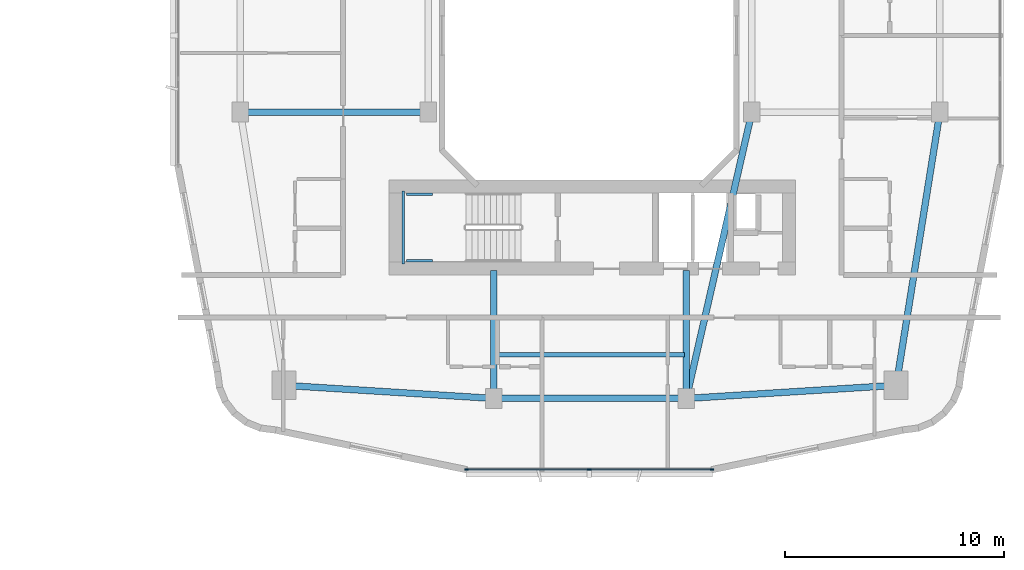
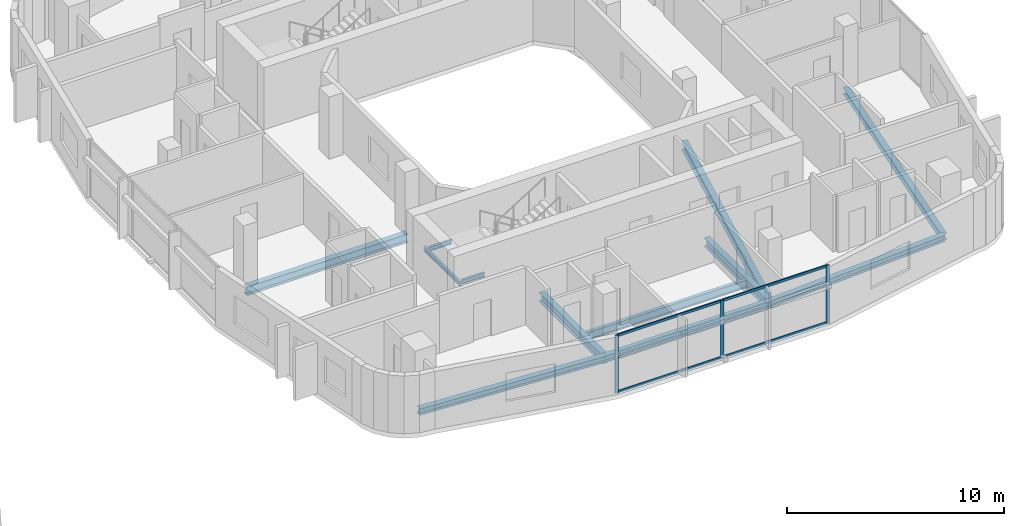
# One storey, part 8 of 27: 12 beams, 7 members, 1 element without a shape of its own.
"""IFC4 building model written with IfcOpenShell, lengths in metres."""

from ifc_helpers import new_model, si_unit, derived_unit, direction, frame, origin, origin_2d, place, context, subcontext, project, spatial, rectangle, i_section, extrude, material, layer, layer_set, material_profile, profile_set, type_object, element, aggregate, save


model = new_model("IFC4")

# Units and contexts
model_context = context("Model", 3, precision=1e-05, world=origin(), true_north=direction((0.0, 1.0)))
body_context = subcontext(model_context, "Body", "Model", "MODEL_VIEW")
ifc_project = project(units=[si_unit("LENGTHUNIT", "METRE"), si_unit("AREAUNIT", "SQUARE_METRE"), si_unit("VOLUMEUNIT", "CUBIC_METRE"), si_unit("PLANEANGLEUNIT", "RADIAN"), si_unit("MASSUNIT", "GRAM", prefix="KILO"), derived_unit("THERMALTRANSMITTANCEUNIT", [(si_unit("POWERUNIT", "WATT"), 1), (si_unit("LENGTHUNIT", "METRE"), -2), (si_unit("THERMODYNAMICTEMPERATUREUNIT", "KELVIN"), -1)])], contexts=[model_context])

# Site, building, storey
site_placement = place(None, origin())
site = spatial("IfcSite", under=ifc_project, at=site_placement, CompositionType="ELEMENT")
building_placement = place(site_placement, origin())
building = spatial("IfcBuilding", under=site, at=building_placement, Name="Kivonza Crest Hotel", CompositionType="ELEMENT")
storey_placement = place(building_placement, frame((0.0, 0.0, 31.0)))
storey = spatial("IfcBuildingStorey", under=building, at=storey_placement, Name="L07", CompositionType="ELEMENT", Elevation=31.0)

# Beams
ifc_material_1 = material(Name="Steel S355", Category="steel")
ifc_material_profile_1 = material_profile(ifc_material_1, i_section(OverallWidth=0.300048828125, OverallDepth=0.360107421875, WebThickness=0.012451171875, FlangeThickness=0.0224609375, FilletRadius=0.027099609375, at=origin_2d()), Name="HEB 360")
ifc_profile_set_1 = profile_set([ifc_material_profile_1], Name="Steel S355")
beam_type_1 = type_object("IfcBeamType", Name="BM-HEB360", PredefinedType="SPANDREL", material=ifc_profile_set_1)
beam_1_placement = place(storey_placement, frame((72.60009765625, 8.39990234375, -0.429931640625), z_axis=(1.0, 0.0, 0.0), x_axis=(0.0, 1.0, 0.0)))
element("IfcBeam", 1, at=beam_1_placement, inside=storey, type_object=beam_type_1, Name="Companion Tower T2 L07 perimeter spandrel S1-S2", PredefinedType="SPANDREL", context=body_context, shape_type="SweptSolid", body=[
    extrude(i_section(OverallWidth=0.300048828125, OverallDepth=0.360107421875, WebThickness=0.012451171875, FlangeThickness=0.0224609375, FilletRadius=0.027099609375, at=origin_2d()), origin(), (0.0, 0.0, 1.0), 8.7998046875),
])
beam_2_placement = place(storey_placement, frame((81.39990234375, 8.39990234375, -0.429931640625), z_axis=(0.998051985873, 0.062387767186, 0.0), x_axis=(-0.062387767186, 0.998051985873, 0.0)))
element("IfcBeam", 2, at=beam_2_placement, inside=storey, type_object=beam_type_1, Name="Companion Tower T2 L07 perimeter spandrel S2-SE", PredefinedType="SPANDREL", context=body_context, shape_type="SweptSolid", body=[
    extrude(i_section(OverallWidth=0.300048828125, OverallDepth=0.360107421875, WebThickness=0.012451171875, FlangeThickness=0.0224609375, FilletRadius=0.027099609375, at=origin_2d()), origin(), (0.0, 0.0, 1.0), 9.618896484375),
])
beam_3_placement = place(storey_placement, frame((91.0, 9.0, -0.429931640625), z_axis=(0.157990501107, 0.987440631917, 0.0), x_axis=(-0.987440631917, 0.157990501107, 0.0)))
element("IfcBeam", 3, at=beam_3_placement, inside=storey, type_object=beam_type_1, Name="Companion Tower T2 L07 perimeter spandrel SE-E1", PredefinedType="SPANDREL", context=body_context, shape_type="SweptSolid", body=[
    extrude(i_section(OverallWidth=0.300048828125, OverallDepth=0.360107421875, WebThickness=0.012451171875, FlangeThickness=0.0224609375, FilletRadius=0.027099609375, at=origin_2d()), origin(), (0.0, 0.0, 1.0), 12.658935546875),
])
beam_4_placement = place(storey_placement, frame((63.0, 9.0, -0.429931640625), z_axis=(0.998051985873, -0.062387767186, 0.0), x_axis=(0.062387767186, 0.998051985873, 0.0)))
element("IfcBeam", 4, at=beam_4_placement, inside=storey, type_object=beam_type_1, Name="Companion Tower T2 L07 perimeter spandrel SW-S1", PredefinedType="SPANDREL", context=body_context, shape_type="SweptSolid", body=[
    extrude(i_section(OverallWidth=0.300048828125, OverallDepth=0.360107421875, WebThickness=0.012451171875, FlangeThickness=0.0224609375, FilletRadius=0.027099609375, at=origin_2d()), origin(), (0.0, 0.0, 1.0), 9.618896484375),
])
ifc_material_profile_2 = material_profile(ifc_material_1, i_section(OverallWidth=0.300048828125, OverallDepth=0.5, WebThickness=0.014404296875, FlangeThickness=0.028076171875, FilletRadius=0.027099609375, at=origin_2d()), Name="HEB 500")
ifc_profile_set_2 = profile_set([ifc_material_profile_2], Name="Steel S355")
beam_type_2 = type_object("IfcBeamType", Name="BM-HEB500", PredefinedType="BEAM", material=ifc_profile_set_2)
beam_5_placement = place(storey_placement, frame((61.0, 21.5, -0.5), z_axis=(1.0, 0.0, 0.0), x_axis=(0.0, 1.0, 0.0)))
element("IfcBeam", 5, at=beam_5_placement, inside=storey, type_object=beam_type_2, Name="Companion Tower T2 L07 girder W1-WL1", PredefinedType="BEAM", context=body_context, shape_type="SweptSolid", body=[
    extrude(i_section(OverallWidth=0.300048828125, OverallDepth=0.5, WebThickness=0.014404296875, FlangeThickness=0.028076171875, FilletRadius=0.027099609375, at=origin_2d()), origin(), (0.0, 0.0, 1.0), 8.60009765625),
])
beam_6_placement = place(storey_placement, frame((84.39990234375, 21.5, -0.5), z_axis=(-0.223227287589, -0.974766422317, 0.0), x_axis=(0.974766422317, -0.223227287589, 0.0)))
element("IfcBeam", 6, at=beam_6_placement, inside=storey, type_object=beam_type_2, Name="Companion Tower T2 L07 girder WR1-S2", PredefinedType="BEAM", context=body_context, shape_type="SweptSolid", body=[
    extrude(i_section(OverallWidth=0.300048828125, OverallDepth=0.5, WebThickness=0.014404296875, FlangeThickness=0.028076171875, FilletRadius=0.027099609375, at=origin_2d()), origin(), (0.0, 0.0, 1.0), 13.439208984375),
])
for number, where, z_axis, x_axis, name in (
    (7, (72.60009765625, 8.39990234375, -0.5), (0.0, 1.0, 0.0), (-1.0, 0.0, 0.0), "Companion T2 L07 radial core girder RS1"),
    (8, (81.39990234375, 8.39990234375, -0.5), (0.0, 1.0, 0.0), (-1.0, 0.0, 0.0), "Companion T2 L07 radial core girder RS2"),
):
    element("IfcBeam", number, at=place(storey_placement, frame(where, z_axis=z_axis, x_axis=x_axis)), inside=storey, type_object=beam_type_2, Name=name, PredefinedType="BEAM", context=body_context, shape_type="SweptSolid", body=[
        extrude(i_section(OverallWidth=0.300048828125, OverallDepth=0.5, WebThickness=0.014404296875, FlangeThickness=0.028076171875, FilletRadius=0.027099609375, at=origin_2d()), origin(), (0.0, 0.0, 1.0), 5.85009765625),
    ])
ifc_material_profile_3 = material_profile(ifc_material_1, i_section(OverallWidth=0.18994140625, OverallDepth=0.449951171875, WebThickness=0.009521484375, FlangeThickness=0.0146484375, FilletRadius=0.02099609375, at=origin_2d()), Name="IPE 450")
ifc_profile_set_3 = profile_set([ifc_material_profile_3], Name="Steel S355")
beam_type_3 = type_object("IfcBeamType", Name="BM-IPE450", PredefinedType="JOIST", material=ifc_profile_set_3)
beam_7_placement = place(storey_placement, frame((72.679931640625, 10.39990234375, -0.47509765625), z_axis=(1.0, 0.0, 0.0), x_axis=(0.0, 1.0, 0.0)))
element("IfcBeam", 9, at=beam_7_placement, inside=storey, type_object=beam_type_3, Name="Companion Tower T2 L07 South floor joist", PredefinedType="JOIST", context=body_context, shape_type="SweptSolid", body=[
    extrude(i_section(OverallWidth=0.18994140625, OverallDepth=0.449951171875, WebThickness=0.009521484375, FlangeThickness=0.0146484375, FilletRadius=0.02099609375, at=origin_2d()), origin(), (0.0, 0.0, 1.0), 8.64013671875),
])
ifc_material_profile_4 = material_profile(ifc_material_1, i_section(OverallWidth=0.1201171875, OverallDepth=0.239990234375, WebThickness=0.006103515625, FlangeThickness=0.009765625, FilletRadius=0.014892578125, at=origin_2d()), Name="IPE 240")
ifc_profile_set_4 = profile_set([ifc_material_profile_4], Name="Steel S355")
beam_type_4 = type_object("IfcBeamType", Name="BM-LLDG-240", PredefinedType="BEAM", material=ifc_profile_set_4)
beam_8_placement = place(storey_placement, frame((68.4599609375, 14.5400390625, 1.429931640625), z_axis=(0.0, 1.0, 0.0), x_axis=(-1.0, 0.0, 0.0)))
element("IfcBeam", 10, at=beam_8_placement, inside=storey, type_object=beam_type_4, Name="Stair ST-T2-S L07 West landing corbel", PredefinedType="BEAM", context=body_context, shape_type="SweptSolid", body=[
    extrude(i_section(OverallWidth=0.1201171875, OverallDepth=0.239990234375, WebThickness=0.006103515625, FlangeThickness=0.009765625, FilletRadius=0.014892578125, at=origin_2d()), origin(), (0.0, 0.0, 1.0), 3.35986328125),
])
for number, where, z_axis, x_axis, name in (
    (11, (68.590087890625, 14.699951171875, 1.429931640625), (1.0, 0.0, 0.0), (0.0, 1.0, 0.0), "Stair ST-T2-S L07 South landing corbel"),
    (12, (68.590087890625, 17.739990234375, 1.429931640625), (1.0, 0.0, 0.0), (0.0, 1.0, 0.0), "Stair ST-T2-S L07 North landing corbel"),
):
    element("IfcBeam", number, at=place(storey_placement, frame(where, z_axis=z_axis, x_axis=x_axis)), inside=storey, type_object=beam_type_4, Name=name, PredefinedType="BEAM", context=body_context, shape_type="SweptSolid", body=[
        extrude(i_section(OverallWidth=0.1201171875, OverallDepth=0.239990234375, WebThickness=0.006103515625, FlangeThickness=0.009765625, FilletRadius=0.014892578125, at=origin_2d()), origin(), (0.0, 0.0, 1.0), 1.2099609375),
    ])

# Curtain wall, members
ifc_material_2 = material(Name="Anodised bronze aluminium and low-E double glazing", Category="aluminium")
ifc_layer = layer(ifc_material_2, 0.179931640625)
ifc_layer_set = layer_set([ifc_layer], Name="Anodised bronze aluminium and low-E double glazing")
curtain_wall_type = type_object("IfcCurtainWallType", Name="CW-SYS-4", PredefinedType="NOTDEFINED", material=ifc_layer_set)
curtain_wall_placement = place(storey_placement, origin())
curtain_wall = element("IfcCurtainWall", 13, at=curtain_wall_placement, inside=storey, type_object=curtain_wall_type, Name="L07 unitised curtain wall CW-T2-L07-08", PredefinedType="NOTDEFINED")
ifc_material_3 = material(Name="Anodised bronze aluminium", Category="aluminium")
ifc_material_profile_5 = material_profile(ifc_material_3, rectangle(XDim=0.06494140625, YDim=0.179931640625, at=origin_2d()), Name="CW-M 65x180")
ifc_profile_set_5 = profile_set([ifc_material_profile_5], Name="Anodised bronze aluminium")
member_type_1 = type_object("IfcMemberType", Name="CW-MUL-65x180", PredefinedType="MULLION", material=ifc_profile_set_5)
member_1_placement = place(storey_placement, frame((71.344482421875, 5.159912109375, 0.0), z_axis=(0.0, 0.0, 1.0), x_axis=(0.0, 1.0, 0.0)))
member_1 = element("IfcMember", 14, at=member_1_placement, type_object=member_type_1, Name="CW-4 mullion 1", PredefinedType="MULLION", context=body_context, shape_type="SweptSolid", body=[
    extrude(rectangle(XDim=0.06494140625, YDim=0.179931640625, at=origin_2d()), origin(), (0.0, 0.0, 1.0), 3.25),
])
member_2_placement = place(storey_placement, frame((76.9599609375, 5.159912109375, 0.0), z_axis=(0.0, 0.0, 1.0), x_axis=(0.0, 1.0, 0.0)))
member_2 = element("IfcMember", 15, at=member_2_placement, type_object=member_type_1, Name="CW-4 mullion 2", PredefinedType="MULLION", context=body_context, shape_type="SweptSolid", body=[
    extrude(rectangle(XDim=0.06494140625, YDim=0.179931640625, at=origin_2d()), origin(), (0.0, 0.0, 1.0), 3.25),
])
member_3_placement = place(storey_placement, frame((82.575439453125, 5.159912109375, 0.0), z_axis=(0.0, 0.0, 1.0), x_axis=(0.0, 1.0, 0.0)))
member_3 = element("IfcMember", 16, at=member_3_placement, type_object=member_type_1, Name="CW-4 mullion 3", PredefinedType="MULLION", context=body_context, shape_type="SweptSolid", body=[
    extrude(rectangle(XDim=0.06494140625, YDim=0.179931640625, at=origin_2d()), origin(), (0.0, 0.0, 1.0), 3.25),
])
ifc_material_profile_6 = material_profile(ifc_material_3, rectangle(XDim=0.06494140625, YDim=0.139892578125, at=origin_2d()), Name="CW-T 65x140")
ifc_profile_set_6 = profile_set([ifc_material_profile_6], Name="Anodised bronze aluminium")
member_type_2 = type_object("IfcMemberType", Name="CW-TRN-65x140", PredefinedType="USERDEFINED", material=ifc_profile_set_6)
member_4_placement = place(storey_placement, frame((71.376953125, 5.159912109375, 0.032470703125), z_axis=(1.0, 0.0, 0.0), x_axis=(0.0, 1.0, 0.0)))
member_4 = element("IfcMember", 17, at=member_4_placement, type_object=member_type_2, Name="CW-4 transom 1.1", ObjectType="TRANSOM", PredefinedType="USERDEFINED", context=body_context, shape_type="SweptSolid", body=[
    extrude(rectangle(XDim=0.06494140625, YDim=0.139892578125, at=origin_2d()), origin(), (0.0, 0.0, 1.0), 5.550537109375),
])
member_5_placement = place(storey_placement, frame((71.376953125, 5.159912109375, 3.217529296875), z_axis=(1.0, 0.0, 0.0), x_axis=(0.0, 1.0, 0.0)))
member_5 = element("IfcMember", 18, at=member_5_placement, type_object=member_type_2, Name="CW-4 transom 1.2", ObjectType="TRANSOM", PredefinedType="USERDEFINED", context=body_context, shape_type="SweptSolid", body=[
    extrude(rectangle(XDim=0.06494140625, YDim=0.139892578125, at=origin_2d()), origin(), (0.0, 0.0, 1.0), 5.550537109375),
])
member_6_placement = place(storey_placement, frame((76.992431640625, 5.159912109375, 0.032470703125), z_axis=(1.0, 0.0, 0.0), x_axis=(0.0, 1.0, 0.0)))
member_6 = element("IfcMember", 19, at=member_6_placement, type_object=member_type_2, Name="CW-4 transom 2.1", ObjectType="TRANSOM", PredefinedType="USERDEFINED", context=body_context, shape_type="SweptSolid", body=[
    extrude(rectangle(XDim=0.06494140625, YDim=0.139892578125, at=origin_2d()), origin(), (0.0, 0.0, 1.0), 5.550537109375),
])
member_7_placement = place(storey_placement, frame((76.992431640625, 5.159912109375, 3.217529296875), z_axis=(1.0, 0.0, 0.0), x_axis=(0.0, 1.0, 0.0)))
member_7 = element("IfcMember", 20, at=member_7_placement, type_object=member_type_2, Name="CW-4 transom 2.2", ObjectType="TRANSOM", PredefinedType="USERDEFINED", context=body_context, shape_type="SweptSolid", body=[
    extrude(rectangle(XDim=0.06494140625, YDim=0.139892578125, at=origin_2d()), origin(), (0.0, 0.0, 1.0), 5.550537109375),
])
aggregate(curtain_wall, [member_1, member_2, member_3, member_4, member_5, member_6, member_7])

save(model, "model.ifc")
